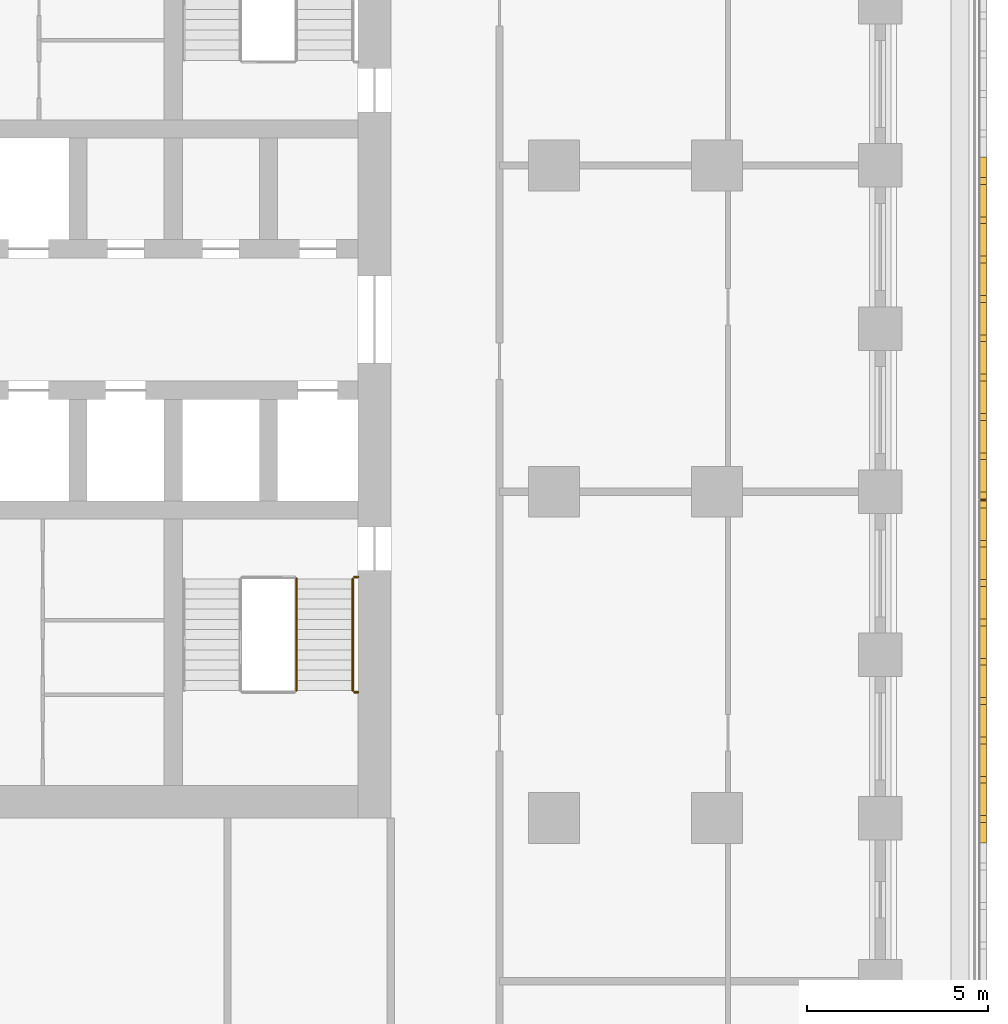
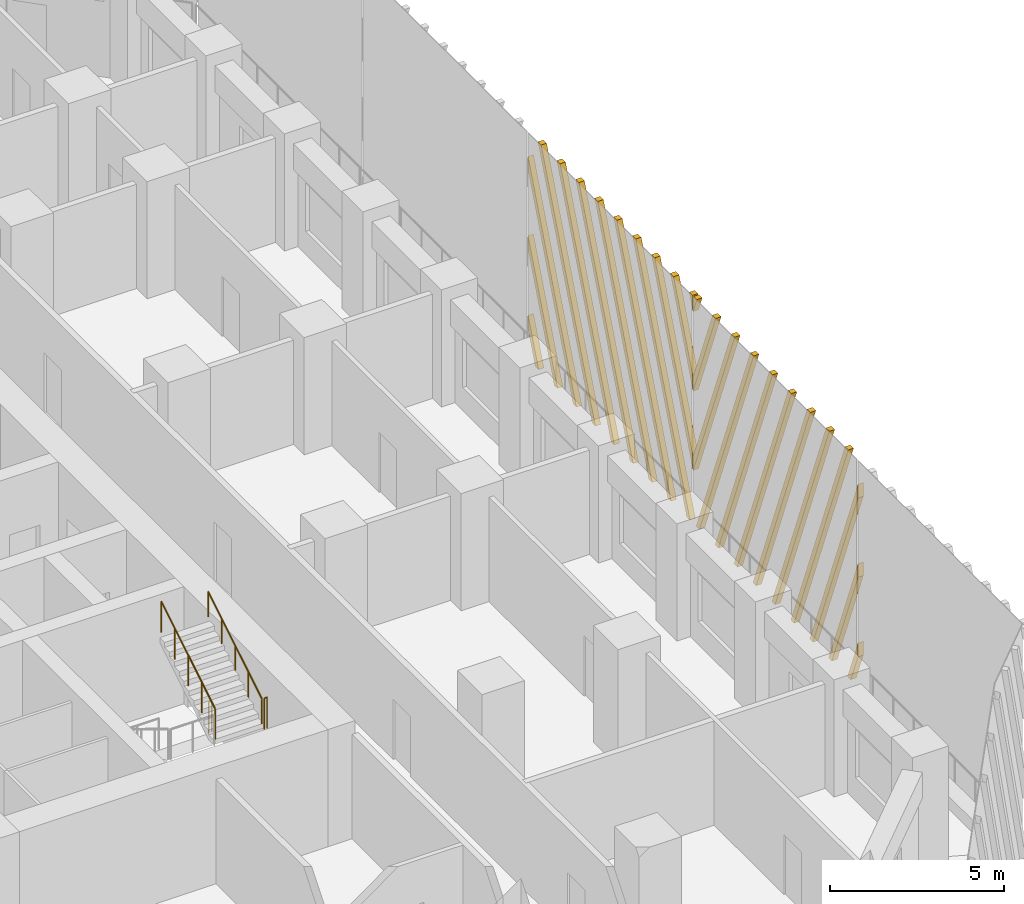
# One storey, part 13 of 19: 4 railings, 2 shading devices.
"""IFC4 building model written with IfcOpenShell, lengths in metres."""

from ifc_helpers import new_model, si_unit, direction, frame, origin, origin_2d, place, context, subcontext, project, spatial, polyline, circle, outline, extrude, source, transform, mapped, material, type_object, element, save


model = new_model("IFC4")

# Units and contexts
model_context = context("Model", 3, precision=1e-05, world=origin(), true_north=direction((0.0, 1.0)))
body_context = subcontext(model_context, "Body", "Model", "MODEL_VIEW")
ifc_project = project(units=[si_unit("LENGTHUNIT", "METRE"), si_unit("AREAUNIT", "SQUARE_METRE"), si_unit("VOLUMEUNIT", "CUBIC_METRE"), si_unit("PLANEANGLEUNIT", "RADIAN"), si_unit("MASSUNIT", "GRAM", prefix="KILO")], contexts=[model_context])

# Site, building, storey
site_placement = place(None, origin())
site = spatial("IfcSite", under=ifc_project, at=site_placement, CompositionType="ELEMENT")
building_placement = place(site_placement, origin())
building = spatial("IfcBuilding", under=site, at=building_placement, Name="Corbel Stack Research Tower", CompositionType="ELEMENT")
storey_placement = place(building_placement, frame((0.0, 0.0, 90.199951171875)))
storey = spatial("IfcBuildingStorey", under=building, at=storey_placement, Name="L20", CompositionType="ELEMENT", Elevation=90.199951171875)

# Railings
ifc_material_1 = material(Name="Steel S355", Category="steel")
railing_type_1 = type_object("IfcRailingType", Name="Stair guard 1100", PredefinedType="GUARDRAIL", material=ifc_material_1)
railing_1_placement = place(storey_placement, frame((17.0, -5.530029296875, 2.050048828125)))
element("IfcRailing", 1, at=railing_1_placement, inside=storey, type_object=railing_type_1, Name="L20 ST-E1 stair guard 3", PredefinedType="GUARDRAIL", context=body_context, shape_type="SweptSolid", body=[
    extrude(circle(Radius=0.02392578125, at=origin_2d()), frame((0.0, 0.0, 1.076171875), z_axis=(1.0, 0.0, 0.0), x_axis=(0.0, 1.0, 0.0)), (0.0, 0.0, 1.0), 0.10009765625),
    extrude(circle(Radius=0.02099609375, at=origin_2d()), origin(), (0.0, 0.0, 1.0), 1.052001953125),
    extrude(circle(Radius=0.02099609375, at=origin_2d()), frame((0.10009765625, 0.0, 0.0)), (0.0, 0.0, 1.0), 1.052001953125),
])
railing_2_placement = place(storey_placement, frame((15.39990234375, -5.47998046875, 2.220947265625)))
element("IfcRailing", 2, at=railing_2_placement, inside=storey, type_object=railing_type_1, Name="L20 ST-E1 stair guard 4", PredefinedType="GUARDRAIL", context=body_context, shape_type="SweptSolid", body=[
    extrude(circle(Radius=0.02392578125, at=origin_2d()), frame((0.0, 0.0, 1.076171875), z_axis=(0.0, 0.853666305674, 0.52082035152), x_axis=(-1.0, 0.0, 0.0)), (0.0, 0.0, 1.0), 3.608154296875),
    extrude(circle(Radius=0.02099609375, at=origin_2d()), origin(), (0.0, 0.0, 1.0), 1.052001953125),
    extrude(circle(Radius=0.02099609375, at=origin_2d()), frame((0.0, 0.77001953125, 0.4697265625)), (0.0, 0.0, 1.0), 1.052001953125),
    extrude(circle(Radius=0.02099609375, at=origin_2d()), frame((0.0, 1.5400390625, 0.939453125)), (0.0, 0.0, 1.0), 1.052001953125),
    extrude(circle(Radius=0.02099609375, at=origin_2d()), frame((0.0, 2.31005859375, 1.409423828125)), (0.0, 0.0, 1.0), 1.052001953125),
    extrude(circle(Radius=0.02099609375, at=origin_2d()), frame((0.0, 3.080078125, 1.879150390625)), (0.0, 0.0, 1.0), 1.052001953125),
])
railing_3_placement = place(storey_placement, frame((17.0, -2.35009765625, 0.0)))
element("IfcRailing", 3, at=railing_3_placement, inside=storey, type_object=railing_type_1, Name="L20 ST-E1 stair guard 6", PredefinedType="GUARDRAIL", context=body_context, shape_type="SweptSolid", body=[
    extrude(circle(Radius=0.02392578125, at=origin_2d()), frame((0.0, 0.0, 1.076171875), z_axis=(1.0, 0.0, 0.0), x_axis=(0.0, 1.0, 0.0)), (0.0, 0.0, 1.0), 0.10009765625),
    extrude(circle(Radius=0.02099609375, at=origin_2d()), origin(), (0.0, 0.0, 1.0), 1.052001953125),
    extrude(circle(Radius=0.02099609375, at=origin_2d()), frame((0.10009765625, 0.0, 0.0)), (0.0, 0.0, 1.0), 1.052001953125),
])
ifc_material_2 = material(Name="Steel S355", Category="steel")
railing_type_2 = type_object("IfcRailingType", Name="Stair handrail 900", PredefinedType="HANDRAIL", material=ifc_material_2)
railing_4_placement = place(storey_placement, frame((16.949951171875, -5.47998046875, 2.220947265625)))
element("IfcRailing", 4, at=railing_4_placement, inside=storey, type_object=railing_type_2, Name="L20 ST-E1 stair handrail 2", PredefinedType="HANDRAIL", context=body_context, shape_type="SweptSolid", body=[
    extrude(circle(Radius=0.02392578125, at=origin_2d()), frame((0.0, 0.0, 0.8759765625), z_axis=(0.0, 0.853666305674, 0.52082035152), x_axis=(-1.0, 0.0, 0.0)), (0.0, 0.0, 1.0), 3.608154296875),
    extrude(circle(Radius=0.02099609375, at=origin_2d()), origin(), (0.0, 0.0, 1.0), 0.851806640625),
    extrude(circle(Radius=0.02099609375, at=origin_2d()), frame((0.0, 0.77001953125, 0.4697265625)), (0.0, 0.0, 1.0), 0.851806640625),
    extrude(circle(Radius=0.02099609375, at=origin_2d()), frame((0.0, 1.5400390625, 0.939453125)), (0.0, 0.0, 1.0), 0.851806640625),
    extrude(circle(Radius=0.02099609375, at=origin_2d()), frame((0.0, 2.31005859375, 1.409423828125)), (0.0, 0.0, 1.0), 0.851806640625),
    extrude(circle(Radius=0.02099609375, at=origin_2d()), frame((0.0, 3.080078125, 1.879150390625)), (0.0, 0.0, 1.0), 0.851806640625),
])

# Shading devices
ifc_material_3 = material(Name="Precast terracotta", Category="masonry")
shading_device_type = type_object("IfcShadingDeviceType", Name="Terracotta screen panel", PredefinedType="USERDEFINED", material=ifc_material_3)
shared_shape_1 = source(origin(), body_context, "Body", "SweptSolid", [
    extrude(outline(polyline([(0.217041015625, 7.949951171875), (0.027099609375, 7.949951171875), (0.0, 7.880859375), (0.0, 7.394287109375), (0.217041015625, 7.949951171875)])), frame((0.0, 0.0, 0.0), z_axis=(0.0, -1.0, 0.0), x_axis=(1.0, 0.0, 0.0)), (0.0, 0.0, 1.0), 0.179931640625),
    extrude(outline(polyline([(1.3017578125, 7.949951171875), (1.11181640625, 7.949951171875), (0.0, 5.103515625), (0.0, 4.616943359375), (1.3017578125, 7.949951171875)])), frame((0.0, 0.0, 0.0), z_axis=(0.0, -1.0, 0.0), x_axis=(1.0, 0.0, 0.0)), (0.0, 0.0, 1.0), 0.179931640625),
    extrude(outline(polyline([(2.386474609375, 7.949951171875), (2.1962890625, 7.949951171875), (0.0, 2.326171875), (0.0, 1.839599609375), (2.386474609375, 7.949951171875)])), frame((0.0, 0.0, 0.0), z_axis=(0.0, -1.0, 0.0), x_axis=(1.0, 0.0, 0.0)), (0.0, 0.0, 1.0), 0.179931640625),
    extrude(outline(polyline([(0.3662109375, 0.0), (3.470947265625, 7.949951171875), (3.281005859375, 7.949951171875), (0.17626953125, 0.0), (0.3662109375, 0.0)])), frame((0.0, 0.0, 0.0), z_axis=(0.0, -1.0, 0.0), x_axis=(1.0, 0.0, 0.0)), (0.0, 0.0, 1.0), 0.179931640625),
    extrude(outline(polyline([(1.45068359375, 0.0), (4.5556640625, 7.949951171875), (4.36572265625, 7.949951171875), (1.2607421875, 0.0), (1.45068359375, 0.0)])), frame((0.0, 0.0, 0.0), z_axis=(0.0, -1.0, 0.0), x_axis=(1.0, 0.0, 0.0)), (0.0, 0.0, 1.0), 0.179931640625),
    extrude(outline(polyline([(2.535400390625, 0.0), (5.640380859375, 7.949951171875), (5.4501953125, 7.949951171875), (2.345458984375, 0.0), (2.535400390625, 0.0)])), frame((0.0, 0.0, 0.0), z_axis=(0.0, -1.0, 0.0), x_axis=(1.0, 0.0, 0.0)), (0.0, 0.0, 1.0), 0.179931640625),
    extrude(outline(polyline([(3.6201171875, 0.0), (6.72509765625, 7.949951171875), (6.534912109375, 7.949951171875), (3.43017578125, 0.0), (3.6201171875, 0.0)])), frame((0.0, 0.0, 0.0), z_axis=(0.0, -1.0, 0.0), x_axis=(1.0, 0.0, 0.0)), (0.0, 0.0, 1.0), 0.179931640625),
    extrude(outline(polyline([(4.704833984375, 0.0), (7.809814453125, 7.949951171875), (7.61962890625, 7.949951171875), (4.514892578125, 0.0), (4.704833984375, 0.0)])), frame((0.0, 0.0, 0.0), z_axis=(0.0, -1.0, 0.0), x_axis=(1.0, 0.0, 0.0)), (0.0, 0.0, 1.0), 0.179931640625),
    extrude(outline(polyline([(5.78955078125, 0.0), (8.894287109375, 7.949951171875), (8.704345703125, 7.949951171875), (5.599609375, 0.0), (5.78955078125, 0.0)])), frame((0.0, 0.0, 0.0), z_axis=(0.0, -1.0, 0.0), x_axis=(1.0, 0.0, 0.0)), (0.0, 0.0, 1.0), 0.179931640625),
    extrude(outline(polyline([(6.874267578125, 0.0), (9.45556640625, 6.60986328125), (9.45556640625, 7.096435546875), (6.68408203125, 0.0), (6.874267578125, 0.0)])), frame((0.0, 0.0, 0.0), z_axis=(0.0, -1.0, 0.0), x_axis=(1.0, 0.0, 0.0)), (0.0, 0.0, 1.0), 0.179931640625),
    extrude(outline(polyline([(7.958740234375, 0.0), (9.45556640625, 3.83251953125), (9.45556640625, 4.319091796875), (7.768798828125, 0.0), (7.958740234375, 0.0)])), frame((0.0, 0.0, 0.0), z_axis=(0.0, -1.0, 0.0), x_axis=(1.0, 0.0, 0.0)), (0.0, 0.0, 1.0), 0.179931640625),
    extrude(outline(polyline([(9.04345703125, 0.0), (9.45556640625, 1.055419921875), (9.45556640625, 1.541748046875), (8.853515625, 0.0), (9.04345703125, 0.0)])), frame((0.0, 0.0, 0.0), z_axis=(0.0, -1.0, 0.0), x_axis=(1.0, 0.0, 0.0)), (0.0, 0.0, 1.0), 0.179931640625),
])
shading_device_1_placement = place(storey_placement, frame((34.25, -0.227783203125, 0.0), z_axis=(0.0, 0.0, 1.0), x_axis=(0.0, 1.0, 0.0)))
element("IfcShadingDevice", 5, at=shading_device_1_placement, inside=storey, type_object=shading_device_type, Name="Terracotta screen L20 E3", ObjectType="SCREEN", PredefinedType="USERDEFINED", context=body_context, shape_type="MappedRepresentation", body=[
    mapped(shared_shape_1, transform((0.0, 0.0, 0.0))),
])
shared_shape_2 = source(origin(), body_context, "Body", "SweptSolid", [
    extrude(outline(polyline([(0.60205078125, 0.0), (0.0, 1.541748046875), (0.0, 1.055419921875), (0.412109375, 0.0), (0.60205078125, 0.0)])), frame((0.0, 0.0, 0.0), z_axis=(0.0, -1.0, 0.0), x_axis=(1.0, 0.0, 0.0)), (0.0, 0.0, 1.0), 0.179931640625),
    extrude(outline(polyline([(1.686767578125, 0.0), (0.0, 4.319091796875), (0.0, 3.83251953125), (1.496826171875, 0.0), (1.686767578125, 0.0)])), frame((0.0, 0.0, 0.0), z_axis=(0.0, -1.0, 0.0), x_axis=(1.0, 0.0, 0.0)), (0.0, 0.0, 1.0), 0.179931640625),
    extrude(outline(polyline([(2.771484375, 0.0), (0.0, 7.096435546875), (0.0, 6.60986328125), (2.58154296875, 0.0), (2.771484375, 0.0)])), frame((0.0, 0.0, 0.0), z_axis=(0.0, -1.0, 0.0), x_axis=(1.0, 0.0, 0.0)), (0.0, 0.0, 1.0), 0.179931640625),
    extrude(outline(polyline([(3.856201171875, 0.0), (0.751220703125, 7.949951171875), (0.561279296875, 7.949951171875), (3.666015625, 0.0), (3.856201171875, 0.0)])), frame((0.0, 0.0, 0.0), z_axis=(0.0, -1.0, 0.0), x_axis=(1.0, 0.0, 0.0)), (0.0, 0.0, 1.0), 0.179931640625),
    extrude(outline(polyline([(4.94091796875, 0.0), (1.8359375, 7.949951171875), (1.64599609375, 7.949951171875), (4.750732421875, 0.0), (4.94091796875, 0.0)])), frame((0.0, 0.0, 0.0), z_axis=(0.0, -1.0, 0.0), x_axis=(1.0, 0.0, 0.0)), (0.0, 0.0, 1.0), 0.179931640625),
    extrude(outline(polyline([(6.025390625, 0.0), (2.920654296875, 7.949951171875), (2.730712890625, 7.949951171875), (5.83544921875, 0.0), (6.025390625, 0.0)])), frame((0.0, 0.0, 0.0), z_axis=(0.0, -1.0, 0.0), x_axis=(1.0, 0.0, 0.0)), (0.0, 0.0, 1.0), 0.179931640625),
    extrude(outline(polyline([(7.110107421875, 0.0), (4.00537109375, 7.949951171875), (3.815185546875, 7.949951171875), (6.920166015625, 0.0), (7.110107421875, 0.0)])), frame((0.0, 0.0, 0.0), z_axis=(0.0, -1.0, 0.0), x_axis=(1.0, 0.0, 0.0)), (0.0, 0.0, 1.0), 0.179931640625),
    extrude(outline(polyline([(8.19482421875, 0.0), (5.090087890625, 7.949951171875), (4.89990234375, 7.949951171875), (8.0048828125, 0.0), (8.19482421875, 0.0)])), frame((0.0, 0.0, 0.0), z_axis=(0.0, -1.0, 0.0), x_axis=(1.0, 0.0, 0.0)), (0.0, 0.0, 1.0), 0.179931640625),
    extrude(outline(polyline([(9.279541015625, 0.0), (6.174560546875, 7.949951171875), (5.984619140625, 7.949951171875), (9.089599609375, 0.0), (9.279541015625, 0.0)])), frame((0.0, 0.0, 0.0), z_axis=(0.0, -1.0, 0.0), x_axis=(1.0, 0.0, 0.0)), (0.0, 0.0, 1.0), 0.179931640625),
    extrude(outline(polyline([(7.25927734375, 7.949951171875), (7.0693359375, 7.949951171875), (9.45556640625, 1.839599609375), (9.45556640625, 2.326171875), (7.25927734375, 7.949951171875)])), frame((0.0, 0.0, 0.0), z_axis=(0.0, -1.0, 0.0), x_axis=(1.0, 0.0, 0.0)), (0.0, 0.0, 1.0), 0.179931640625),
    extrude(outline(polyline([(8.343994140625, 7.949951171875), (8.15380859375, 7.949951171875), (9.45556640625, 4.616943359375), (9.45556640625, 5.103515625), (8.343994140625, 7.949951171875)])), frame((0.0, 0.0, 0.0), z_axis=(0.0, -1.0, 0.0), x_axis=(1.0, 0.0, 0.0)), (0.0, 0.0, 1.0), 0.179931640625),
    extrude(outline(polyline([(9.4287109375, 7.949951171875), (9.238525390625, 7.949951171875), (9.45556640625, 7.394287109375), (9.45556640625, 7.880859375), (9.4287109375, 7.949951171875)])), frame((0.0, 0.0, 0.0), z_axis=(0.0, -1.0, 0.0), x_axis=(1.0, 0.0, 0.0)), (0.0, 0.0, 1.0), 0.179931640625),
])
shading_device_2_placement = place(storey_placement, frame((34.25, -9.68359375, 0.0), z_axis=(0.0, 0.0, 1.0), x_axis=(0.0, 1.0, 0.0)))
element("IfcShadingDevice", 6, at=shading_device_2_placement, inside=storey, type_object=shading_device_type, Name="Terracotta screen L20 E2", ObjectType="SCREEN", PredefinedType="USERDEFINED", context=body_context, shape_type="MappedRepresentation", body=[
    mapped(shared_shape_2, transform((0.0, 0.0, 0.0))),
])

save(model, "model.ifc")
